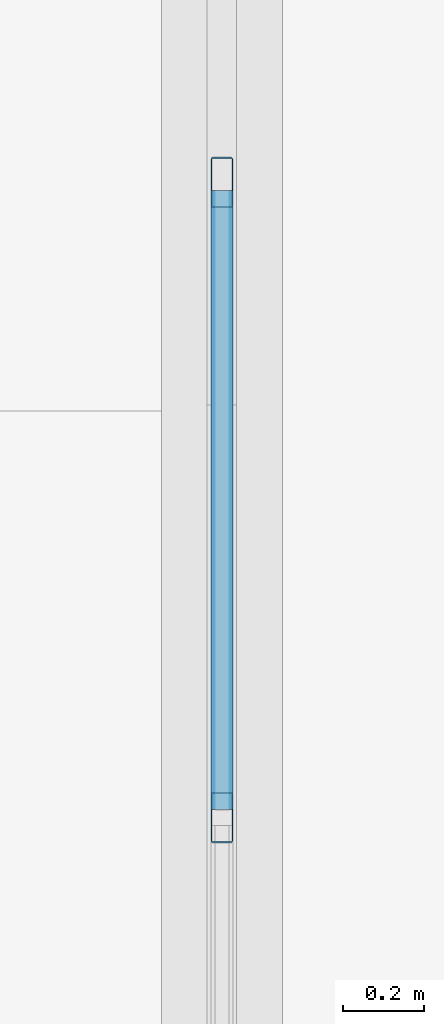
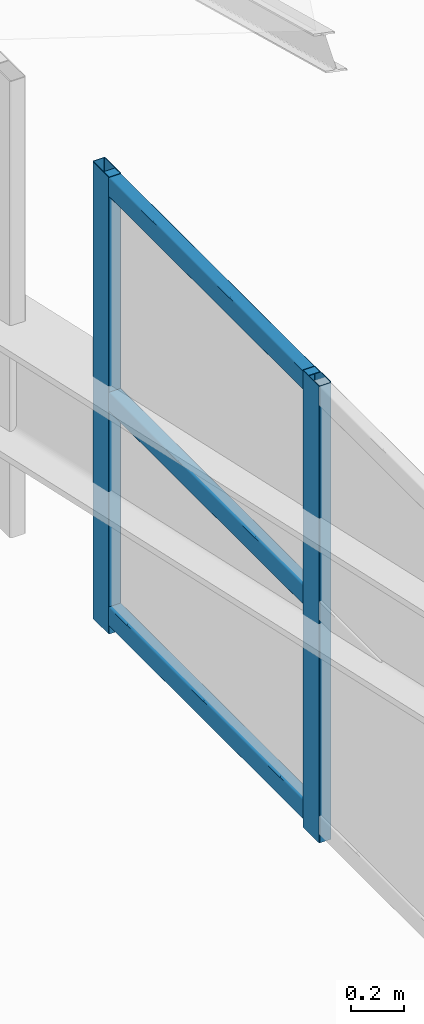
# One storey, part 92 of 262: 5 members, 1 element without a shape of its own.
"""IFC4 building model written with IfcOpenShell, lengths in metres."""

from ifc_helpers import new_model, si_unit, derived_unit, direction, frame, origin, origin_2d, place, context, subcontext, project, spatial, hollow_rectangle, extrude, material, layer, layer_set, material_profile, profile_set, type_object, element, aggregate, save


model = new_model("IFC4")

# Units and contexts
model_context = context("Model", 3, precision=1e-05, world=origin(), true_north=direction((0.0, 1.0)))
body_context = subcontext(model_context, "Body", "Model", "MODEL_VIEW")
ifc_project = project(units=[si_unit("LENGTHUNIT", "METRE"), si_unit("AREAUNIT", "SQUARE_METRE"), si_unit("VOLUMEUNIT", "CUBIC_METRE"), si_unit("PLANEANGLEUNIT", "RADIAN"), si_unit("MASSUNIT", "GRAM", prefix="KILO"), derived_unit("THERMALTRANSMITTANCEUNIT", [(si_unit("POWERUNIT", "WATT"), 1), (si_unit("LENGTHUNIT", "METRE"), -2), (si_unit("THERMODYNAMICTEMPERATUREUNIT", "KELVIN"), -1)])], contexts=[model_context])

# Site, building, storey
site_placement = place(None, origin())
site = spatial("IfcSite", under=ifc_project, at=site_placement, CompositionType="ELEMENT")
building_placement = place(site_placement, origin())
building = spatial("IfcBuilding", under=site, at=building_placement, Name="Almenara Railside Exhibition Hall", CompositionType="ELEMENT")
storey_placement = place(building_placement, frame((0.0, 0.0, 21.699951171875)))
storey = spatial("IfcBuildingStorey", under=building, at=storey_placement, Name="RF", CompositionType="ELEMENT", Elevation=21.699951171875)

# Curtain wall, members
ifc_material_1 = material(Name="Bronze-anodised aluminium and low-E double glazing", Category="aluminium")
ifc_layer = layer(ifc_material_1, 0.179931640625, Name="Bronze-anodised aluminium and low-E double glazing")
ifc_layer_set = layer_set([ifc_layer], Name="Bronze-anodised aluminium and low-E double glazing")
curtain_wall_type = type_object("IfcCurtainWallType", Name="West Hall Clerestory Curtain Wall 4200x2400", PredefinedType="NOTDEFINED", material=ifc_layer_set)
curtain_wall_placement = place(storey_placement, origin())
curtain_wall = element("IfcCurtainWall", 1, at=curtain_wall_placement, inside=storey, type_object=curtain_wall_type, Name="Curtain wall CW-CL1-174", PredefinedType="NOTDEFINED")
ifc_material_2 = material(Name="Bronze-anodised aluminium", Category="aluminium")
ifc_material_profile_1 = material_profile(ifc_material_2, hollow_rectangle(XDim=0.054931640625, YDim=0.125, WallThickness=0.0029296875, InnerFilletRadius=0.0029296875, OuterFilletRadius=0.006103515625, at=origin_2d()), Name="ALU-MUL 55x125x3")
ifc_profile_set_1 = profile_set([ifc_material_profile_1], Name="Bronze-anodised aluminium")
member_type_1 = type_object("IfcMemberType", Name="Curtain Wall Mullion 55x125x3", PredefinedType="MULLION", material=ifc_profile_set_1)
member_1_placement = place(storey_placement, frame((66.0, 64.050048828125, -1.824951171875), z_axis=(0.0, 0.0, 1.0), x_axis=(-1.0, 0.0, 0.0)))
member_1 = element("IfcMember", 2, at=member_1_placement, type_object=member_type_1, Name="CW-CL1-174 mullion 3", PredefinedType="MULLION", context=body_context, shape_type="SweptSolid", body=[
    extrude(hollow_rectangle(XDim=0.054931640625, YDim=0.125, WallThickness=0.0029296875, InnerFilletRadius=0.0029296875, OuterFilletRadius=0.006103515625, at=origin_2d()), origin(), (0.0, 0.0, 1.0), 2.0849609375),
])
member_2_placement = place(storey_placement, frame((66.0, 65.62255859375, -1.824951171875), z_axis=(0.0, 0.0, 1.0), x_axis=(-1.0, 0.0, 0.0)))
member_2 = element("IfcMember", 3, at=member_2_placement, type_object=member_type_1, Name="CW-CL1-174 mullion 4", PredefinedType="MULLION", context=body_context, shape_type="SweptSolid", body=[
    extrude(hollow_rectangle(XDim=0.054931640625, YDim=0.125, WallThickness=0.0029296875, InnerFilletRadius=0.0029296875, OuterFilletRadius=0.006103515625, at=origin_2d()), origin(), (0.0, 0.0, 1.0), 2.0849609375),
])
ifc_material_profile_2 = material_profile(ifc_material_2, hollow_rectangle(XDim=0.054931640625, YDim=0.090087890625, WallThickness=0.0029296875, InnerFilletRadius=0.0029296875, OuterFilletRadius=0.006103515625, at=origin_2d()), Name="ALU-TRN 55x90x3")
ifc_profile_set_2 = profile_set([ifc_material_profile_2], Name="Bronze-anodised aluminium")
member_type_2 = type_object("IfcMemberType", Name="Curtain Wall Transom 55x90x3", PredefinedType="USERDEFINED", material=ifc_profile_set_2)
member_3_placement = place(storey_placement, frame((66.0, 64.069580078125, -1.744873046875), z_axis=(0.0, 1.0, 0.0), x_axis=(-1.0, 0.0, 0.0)))
member_3 = element("IfcMember", 4, at=member_3_placement, type_object=member_type_2, Name="CW-CL1-174 transom 3.1", ObjectType="TRANSOM", PredefinedType="USERDEFINED", context=body_context, shape_type="SweptSolid", body=[
    extrude(hollow_rectangle(XDim=0.054931640625, YDim=0.090087890625, WallThickness=0.0029296875, InnerFilletRadius=0.0029296875, OuterFilletRadius=0.006103515625, at=origin_2d()), origin(), (0.0, 0.0, 1.0), 1.533447265625),
])
member_4_placement = place(storey_placement, frame((66.0, 64.069580078125, -0.764892578125), z_axis=(0.0, 1.0, 0.0), x_axis=(-1.0, 0.0, 0.0)))
member_4 = element("IfcMember", 5, at=member_4_placement, type_object=member_type_2, Name="CW-CL1-174 transom 3.2", ObjectType="TRANSOM", PredefinedType="USERDEFINED", context=body_context, shape_type="SweptSolid", body=[
    extrude(hollow_rectangle(XDim=0.054931640625, YDim=0.090087890625, WallThickness=0.0029296875, InnerFilletRadius=0.0029296875, OuterFilletRadius=0.006103515625, at=origin_2d()), origin(), (0.0, 0.0, 1.0), 1.533447265625),
])
member_5_placement = place(storey_placement, frame((66.0, 64.069580078125, 0.215087890625), z_axis=(0.0, 1.0, 0.0), x_axis=(-1.0, 0.0, 0.0)))
member_5 = element("IfcMember", 6, at=member_5_placement, type_object=member_type_2, Name="CW-CL1-174 transom 3.3", ObjectType="TRANSOM", PredefinedType="USERDEFINED", context=body_context, shape_type="SweptSolid", body=[
    extrude(hollow_rectangle(XDim=0.054931640625, YDim=0.090087890625, WallThickness=0.0029296875, InnerFilletRadius=0.0029296875, OuterFilletRadius=0.006103515625, at=origin_2d()), origin(), (0.0, 0.0, 1.0), 1.533447265625),
])
aggregate(curtain_wall, [member_1, member_2, member_3, member_4, member_5])

save(model, "model.ifc")
